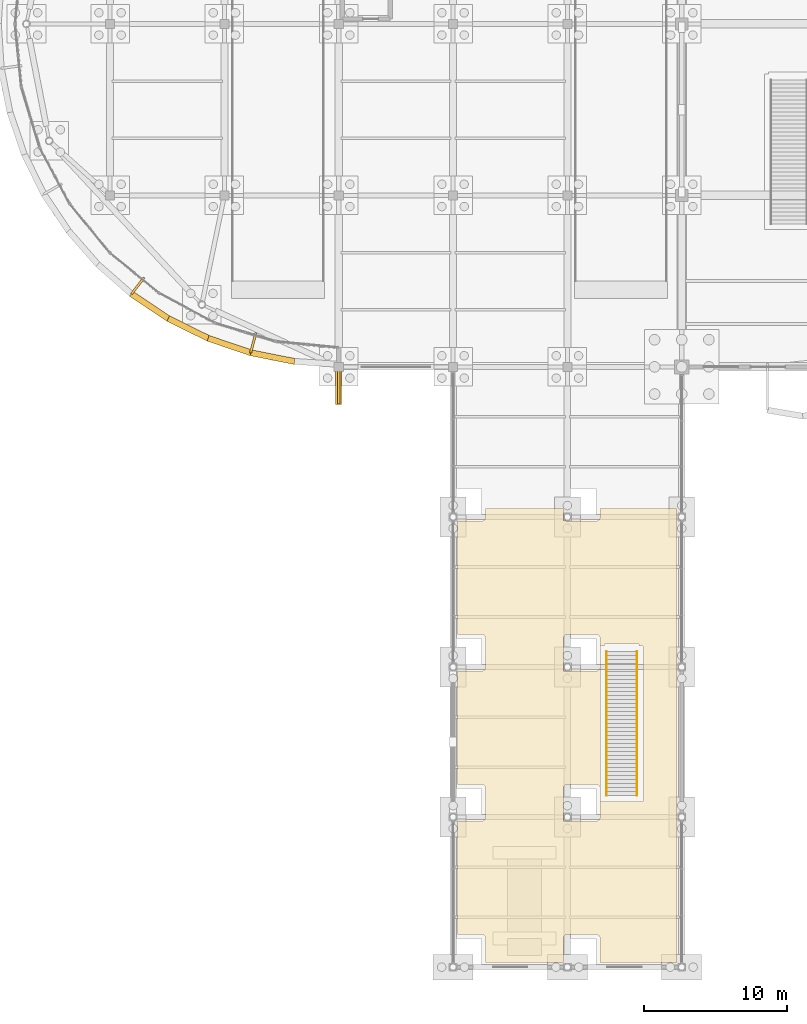
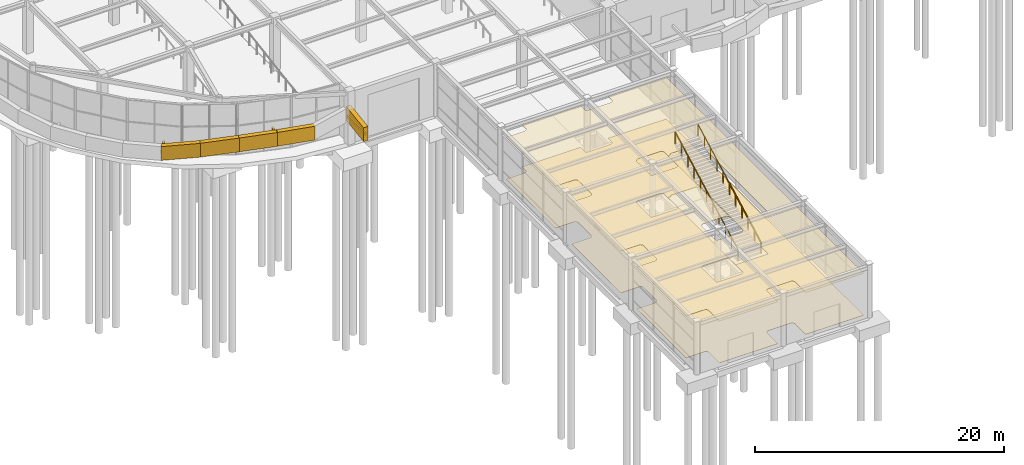
# One storey, part 73 of 85: 10 coverings, 2 railings.
"""IFC4 building model written with IfcOpenShell, lengths in metres."""

from ifc_helpers import new_model, si_unit, direction, frame, frame_2d, origin, origin_2d, place, context, subcontext, project, spatial, polyline, rectangle, circle, outline, extrude, material, layer, layer_set, type_object, element, save


model = new_model("IFC4")

# Units and contexts
model_context = context("Model", 3, precision=1e-05, world=origin(), true_north=direction((0.0, 1.0)))
body_context = subcontext(model_context, "Body", "Model", "MODEL_VIEW")
ifc_project = project(units=[si_unit("LENGTHUNIT", "METRE"), si_unit("AREAUNIT", "SQUARE_METRE"), si_unit("VOLUMEUNIT", "CUBIC_METRE"), si_unit("PLANEANGLEUNIT", "RADIAN"), si_unit("MASSUNIT", "GRAM", prefix="KILO")], contexts=[model_context])

# Site, building, storey
site_placement = place(None, origin())
site = spatial("IfcSite", under=ifc_project, at=site_placement, CompositionType="ELEMENT")
building_placement = place(site_placement, origin())
building = spatial("IfcBuilding", under=site, at=building_placement, Name="Keelwater Ferry Terminal", CompositionType="ELEMENT")
storey_placement = place(building_placement, origin())
storey = spatial("IfcBuildingStorey", under=building, at=storey_placement, Name="L00", CompositionType="ELEMENT", Elevation=0.0)

# Coverings
ifc_material_1 = material(Name="Perforated acoustic gypsum board ceiling", Category="gypsum")
ifc_layer_1 = layer(ifc_material_1, 0.044921875)
ifc_layer_set_1 = layer_set([ifc_layer_1], Name="Perforated acoustic gypsum board ceiling")
covering_type_1 = type_object("IfcCoveringType", Name="CL-AC Acoustic Baffle Ceiling", PredefinedType="CEILING", material=ifc_layer_set_1)
covering_1_placement = place(storey_placement, frame((0.0, 0.0, 4.10009765625)))
element("IfcCovering", 1, at=covering_1_placement, inside=storey, type_object=covering_type_1, Name="West Berth Holdroom Acoustic Ceiling", PredefinedType="CEILING", context=body_context, shape_type="SweptSolid", body=[
    extrude(outline(polyline([(47.615966796875, 32.077880859375), (47.623046875, 32.076904296875), (47.631103515625, 32.073974609375), (47.637939453125, 32.071044921875), (47.64404296875, 32.06689453125), (47.65087890625, 32.06201171875), (47.656982421875, 32.056884765625), (47.662109375, 32.051025390625), (47.6669921875, 32.0439453125), (47.6708984375, 32.0380859375), (47.674072265625, 32.031005859375), (47.677001953125, 32.02294921875), (47.677978515625, 32.01611328125), (47.679931640625, 32.008056640625), (47.679931640625, 32.0), (47.679931640625, 0.39990234375), (47.679931640625, 0.39208984375), (47.677978515625, 0.384033203125), (47.677001953125, 0.376953125), (47.674072265625, 0.368896484375), (47.6708984375, 0.362060546875), (47.6669921875, 0.35595703125), (47.662109375, 0.34912109375), (47.656982421875, 0.343017578125), (47.65087890625, 0.337890625), (47.64404296875, 0.3330078125), (47.637939453125, 0.3291015625), (47.631103515625, 0.325927734375), (47.623046875, 0.322998046875), (47.615966796875, 0.322021484375), (47.60791015625, 0.320068359375), (47.60009765625, 0.320068359375), (42.280029296875, 0.320068359375), (42.280029296875, 2.0), (42.279052734375, 2.027099609375), (42.27490234375, 2.054931640625), (42.26806640625, 2.0810546875), (42.259033203125, 2.10693359375), (42.2470703125, 2.132080078125), (42.23291015625, 2.156005859375), (42.216064453125, 2.177978515625), (42.197998046875, 2.197998046875), (42.177978515625, 2.216064453125), (42.156005859375, 2.23291015625), (42.132080078125, 2.2470703125), (42.10693359375, 2.259033203125), (42.0810546875, 2.26806640625), (42.054931640625, 2.27490234375), (42.027099609375, 2.279052734375), (42.0, 2.280029296875), (40.0, 2.280029296875), (39.972900390625, 2.279052734375), (39.945068359375, 2.27490234375), (39.9189453125, 2.26806640625), (39.89306640625, 2.259033203125), (39.867919921875, 2.2470703125), (39.843994140625, 2.23291015625), (39.822021484375, 2.216064453125), (39.802001953125, 2.197998046875), (39.783935546875, 2.177978515625), (39.76708984375, 2.156005859375), (39.7529296875, 2.132080078125), (39.740966796875, 2.10693359375), (39.73193359375, 2.0810546875), (39.72509765625, 2.054931640625), (39.720947265625, 2.027099609375), (39.719970703125, 2.0), (39.719970703125, 0.320068359375), (34.280029296875, 0.320068359375), (34.280029296875, 2.0), (34.279052734375, 2.027099609375), (34.27490234375, 2.054931640625), (34.26806640625, 2.0810546875), (34.259033203125, 2.10693359375), (34.2470703125, 2.132080078125), (34.23291015625, 2.156005859375), (34.216064453125, 2.177978515625), (34.197998046875, 2.197998046875), (34.177978515625, 2.216064453125), (34.156005859375, 2.23291015625), (34.132080078125, 2.2470703125), (34.10693359375, 2.259033203125), (34.0810546875, 2.26806640625), (34.054931640625, 2.27490234375), (34.027099609375, 2.279052734375), (34.0, 2.280029296875), (32.320068359375, 2.280029296875), (32.320068359375, 10.219970703125), (34.0, 10.219970703125), (34.027099609375, 10.220947265625), (34.054931640625, 10.22509765625), (34.0810546875, 10.23193359375), (34.10693359375, 10.240966796875), (34.132080078125, 10.2529296875), (34.156005859375, 10.26708984375), (34.177978515625, 10.283935546875), (34.197998046875, 10.302001953125), (34.216064453125, 10.322021484375), (34.23291015625, 10.343994140625), (34.2470703125, 10.367919921875), (34.259033203125, 10.39306640625), (34.26806640625, 10.4189453125), (34.27490234375, 10.445068359375), (34.279052734375, 10.472900390625), (34.280029296875, 10.5), (34.280029296875, 12.5), (34.279052734375, 12.527099609375), (34.27490234375, 12.554931640625), (34.26806640625, 12.5810546875), (34.259033203125, 12.60693359375), (34.2470703125, 12.632080078125), (34.23291015625, 12.656005859375), (34.216064453125, 12.677978515625), (34.197998046875, 12.697998046875), (34.177978515625, 12.716064453125), (34.156005859375, 12.73291015625), (34.132080078125, 12.7470703125), (34.10693359375, 12.759033203125), (34.0810546875, 12.76806640625), (34.054931640625, 12.77490234375), (34.027099609375, 12.779052734375), (34.0, 12.780029296875), (32.320068359375, 12.780029296875), (32.320068359375, 20.719970703125), (34.0, 20.719970703125), (34.027099609375, 20.720947265625), (34.054931640625, 20.72509765625), (34.0810546875, 20.73193359375), (34.10693359375, 20.740966796875), (34.132080078125, 20.7529296875), (34.156005859375, 20.76708984375), (34.177978515625, 20.783935546875), (34.197998046875, 20.802001953125), (34.216064453125, 20.822021484375), (34.23291015625, 20.843994140625), (34.2470703125, 20.867919921875), (34.259033203125, 20.89306640625), (34.26806640625, 20.9189453125), (34.27490234375, 20.945068359375), (34.279052734375, 20.972900390625), (34.280029296875, 21.0), (34.280029296875, 23.0), (34.279052734375, 23.027099609375), (34.27490234375, 23.054931640625), (34.26806640625, 23.0810546875), (34.259033203125, 23.10693359375), (34.2470703125, 23.132080078125), (34.23291015625, 23.156005859375), (34.216064453125, 23.177978515625), (34.197998046875, 23.197998046875), (34.177978515625, 23.216064453125), (34.156005859375, 23.23291015625), (34.132080078125, 23.2470703125), (34.10693359375, 23.259033203125), (34.0810546875, 23.26806640625), (34.054931640625, 23.27490234375), (34.027099609375, 23.279052734375), (34.0, 23.280029296875), (32.320068359375, 23.280029296875), (32.320068359375, 31.219970703125), (34.0, 31.219970703125), (34.027099609375, 31.220947265625), (34.054931640625, 31.22509765625), (34.0810546875, 31.23193359375), (34.10693359375, 31.240966796875), (34.132080078125, 31.2529296875), (34.156005859375, 31.26708984375), (34.177978515625, 31.283935546875), (34.197998046875, 31.302001953125), (34.216064453125, 31.322021484375), (34.23291015625, 31.343994140625), (34.2470703125, 31.367919921875), (34.259033203125, 31.39306640625), (34.26806640625, 31.4189453125), (34.27490234375, 31.445068359375), (34.279052734375, 31.472900390625), (34.280029296875, 31.5), (34.280029296875, 32.080078125), (39.719970703125, 32.080078125), (39.719970703125, 31.5), (39.720947265625, 31.472900390625), (39.72509765625, 31.445068359375), (39.73193359375, 31.4189453125), (39.736083984375, 31.407958984375), (39.736083984375, 31.236083984375), (39.907958984375, 31.236083984375), (39.9189453125, 31.23193359375), (39.945068359375, 31.22509765625), (39.972900390625, 31.220947265625), (40.0, 31.219970703125), (42.0, 31.219970703125), (42.027099609375, 31.220947265625), (42.054931640625, 31.22509765625), (42.0810546875, 31.23193359375), (42.10693359375, 31.240966796875), (42.132080078125, 31.2529296875), (42.156005859375, 31.26708984375), (42.177978515625, 31.283935546875), (42.197998046875, 31.302001953125), (42.216064453125, 31.322021484375), (42.23291015625, 31.343994140625), (42.2470703125, 31.367919921875), (42.259033203125, 31.39306640625), (42.26806640625, 31.4189453125), (42.27490234375, 31.445068359375), (42.279052734375, 31.472900390625), (42.280029296875, 31.5), (42.280029296875, 32.080078125), (47.60009765625, 32.080078125), (47.60791015625, 32.080078125), (47.615966796875, 32.077880859375)]), holes=[polyline([(45.02001953125, 22.6201171875), (42.580078125, 22.6201171875), (42.580078125, 22.47998046875), (42.300048828125, 22.47998046875), (42.300048828125, 11.60009765625), (45.300048828125, 11.60009765625), (45.300048828125, 22.47998046875), (45.02001953125, 22.47998046875), (45.02001953125, 22.6201171875)]), polyline([(39.72509765625, 20.945068359375), (39.73193359375, 20.9189453125), (39.736083984375, 20.907958984375), (39.736083984375, 20.736083984375), (39.907958984375, 20.736083984375), (39.9189453125, 20.73193359375), (39.945068359375, 20.72509765625), (39.972900390625, 20.720947265625), (40.0, 20.719970703125), (42.0, 20.719970703125), (42.027099609375, 20.720947265625), (42.054931640625, 20.72509765625), (42.0810546875, 20.73193359375), (42.10693359375, 20.740966796875), (42.132080078125, 20.7529296875), (42.156005859375, 20.76708984375), (42.177978515625, 20.783935546875), (42.197998046875, 20.802001953125), (42.216064453125, 20.822021484375), (42.23291015625, 20.843994140625), (42.2470703125, 20.867919921875), (42.259033203125, 20.89306640625), (42.26806640625, 20.9189453125), (42.27490234375, 20.945068359375), (42.279052734375, 20.972900390625), (42.280029296875, 21.0), (42.280029296875, 23.0), (42.279052734375, 23.027099609375), (42.27490234375, 23.054931640625), (42.26806640625, 23.0810546875), (42.259033203125, 23.10693359375), (42.2470703125, 23.132080078125), (42.23291015625, 23.156005859375), (42.216064453125, 23.177978515625), (42.197998046875, 23.197998046875), (42.177978515625, 23.216064453125), (42.156005859375, 23.23291015625), (42.132080078125, 23.2470703125), (42.10693359375, 23.259033203125), (42.0810546875, 23.26806640625), (42.054931640625, 23.27490234375), (42.027099609375, 23.279052734375), (42.0, 23.280029296875), (40.0, 23.280029296875), (39.972900390625, 23.279052734375), (39.945068359375, 23.27490234375), (39.9189453125, 23.26806640625), (39.89306640625, 23.259033203125), (39.867919921875, 23.2470703125), (39.843994140625, 23.23291015625), (39.822021484375, 23.216064453125), (39.802001953125, 23.197998046875), (39.783935546875, 23.177978515625), (39.76708984375, 23.156005859375), (39.7529296875, 23.132080078125), (39.740966796875, 23.10693359375), (39.73193359375, 23.0810546875), (39.72509765625, 23.054931640625), (39.720947265625, 23.027099609375), (39.719970703125, 23.0), (39.719970703125, 21.0), (39.720947265625, 20.972900390625), (39.72509765625, 20.945068359375)]), polyline([(42.27490234375, 12.554931640625), (42.26806640625, 12.5810546875), (42.259033203125, 12.60693359375), (42.2470703125, 12.632080078125), (42.23291015625, 12.656005859375), (42.216064453125, 12.677978515625), (42.197998046875, 12.697998046875), (42.177978515625, 12.716064453125), (42.156005859375, 12.73291015625), (42.132080078125, 12.7470703125), (42.10693359375, 12.759033203125), (42.0810546875, 12.76806640625), (42.054931640625, 12.77490234375), (42.027099609375, 12.779052734375), (42.0, 12.780029296875), (40.0, 12.780029296875), (39.972900390625, 12.779052734375), (39.945068359375, 12.77490234375), (39.9189453125, 12.76806640625), (39.89306640625, 12.759033203125), (39.867919921875, 12.7470703125), (39.843994140625, 12.73291015625), (39.822021484375, 12.716064453125), (39.802001953125, 12.697998046875), (39.783935546875, 12.677978515625), (39.76708984375, 12.656005859375), (39.7529296875, 12.632080078125), (39.740966796875, 12.60693359375), (39.73193359375, 12.5810546875), (39.72509765625, 12.554931640625), (39.720947265625, 12.527099609375), (39.719970703125, 12.5), (39.719970703125, 10.5), (39.720947265625, 10.472900390625), (39.72509765625, 10.445068359375), (39.73193359375, 10.4189453125), (39.736083984375, 10.407958984375), (39.736083984375, 10.236083984375), (39.907958984375, 10.236083984375), (39.9189453125, 10.23193359375), (39.945068359375, 10.22509765625), (39.972900390625, 10.220947265625), (40.0, 10.219970703125), (42.0, 10.219970703125), (42.027099609375, 10.220947265625), (42.054931640625, 10.22509765625), (42.0810546875, 10.23193359375), (42.10693359375, 10.240966796875), (42.132080078125, 10.2529296875), (42.156005859375, 10.26708984375), (42.177978515625, 10.283935546875), (42.197998046875, 10.302001953125), (42.216064453125, 10.322021484375), (42.23291015625, 10.343994140625), (42.2470703125, 10.367919921875), (42.259033203125, 10.39306640625), (42.26806640625, 10.4189453125), (42.27490234375, 10.445068359375), (42.279052734375, 10.472900390625), (42.280029296875, 10.5), (42.280029296875, 12.5), (42.279052734375, 12.527099609375), (42.27490234375, 12.554931640625)])]), origin(), (0.0, 0.0, 1.0), 0.044921875),
])
ifc_material_2 = material(Name="Polished mineral terrazzo tile", Category="stone")
ifc_layer_2 = layer(ifc_material_2, 0.030029296875)
ifc_layer_set_2 = layer_set([ifc_layer_2], Name="Polished mineral terrazzo tile")
covering_type_2 = type_object("IfcCoveringType", Name="FL-TZ Marine Terrazzo Flooring", PredefinedType="FLOORING", material=ifc_layer_set_2)
covering_2_placement = place(storey_placement, origin())
element("IfcCovering", 2, at=covering_2_placement, inside=storey, type_object=covering_type_2, Name="West Berth Holdroom Terrazzo Floor", PredefinedType="FLOORING", context=body_context, shape_type="SweptSolid", body=[
    extrude(outline(polyline([(47.615966796875, 32.077880859375), (47.623046875, 32.076904296875), (47.631103515625, 32.073974609375), (47.637939453125, 32.071044921875), (47.64404296875, 32.06689453125), (47.65087890625, 32.06201171875), (47.656982421875, 32.056884765625), (47.662109375, 32.051025390625), (47.6669921875, 32.0439453125), (47.6708984375, 32.0380859375), (47.674072265625, 32.031005859375), (47.677001953125, 32.02294921875), (47.677978515625, 32.01611328125), (47.679931640625, 32.008056640625), (47.679931640625, 32.0), (47.679931640625, 0.39990234375), (47.679931640625, 0.39208984375), (47.677978515625, 0.384033203125), (47.677001953125, 0.376953125), (47.674072265625, 0.368896484375), (47.6708984375, 0.362060546875), (47.6669921875, 0.35595703125), (47.662109375, 0.34912109375), (47.656982421875, 0.343017578125), (47.65087890625, 0.337890625), (47.64404296875, 0.3330078125), (47.637939453125, 0.3291015625), (47.631103515625, 0.325927734375), (47.623046875, 0.322998046875), (47.615966796875, 0.322021484375), (47.60791015625, 0.320068359375), (47.60009765625, 0.320068359375), (42.280029296875, 0.320068359375), (42.280029296875, 2.0), (42.279052734375, 2.027099609375), (42.27490234375, 2.054931640625), (42.26806640625, 2.0810546875), (42.259033203125, 2.10693359375), (42.2470703125, 2.132080078125), (42.23291015625, 2.156005859375), (42.216064453125, 2.177978515625), (42.197998046875, 2.197998046875), (42.177978515625, 2.216064453125), (42.156005859375, 2.23291015625), (42.132080078125, 2.2470703125), (42.10693359375, 2.259033203125), (42.0810546875, 2.26806640625), (42.054931640625, 2.27490234375), (42.027099609375, 2.279052734375), (42.0, 2.280029296875), (40.0, 2.280029296875), (39.972900390625, 2.279052734375), (39.945068359375, 2.27490234375), (39.9189453125, 2.26806640625), (39.89306640625, 2.259033203125), (39.867919921875, 2.2470703125), (39.843994140625, 2.23291015625), (39.822021484375, 2.216064453125), (39.802001953125, 2.197998046875), (39.783935546875, 2.177978515625), (39.76708984375, 2.156005859375), (39.7529296875, 2.132080078125), (39.740966796875, 2.10693359375), (39.73193359375, 2.0810546875), (39.72509765625, 2.054931640625), (39.720947265625, 2.027099609375), (39.719970703125, 2.0), (39.719970703125, 0.320068359375), (34.280029296875, 0.320068359375), (34.280029296875, 2.0), (34.279052734375, 2.027099609375), (34.27490234375, 2.054931640625), (34.26806640625, 2.0810546875), (34.259033203125, 2.10693359375), (34.2470703125, 2.132080078125), (34.23291015625, 2.156005859375), (34.216064453125, 2.177978515625), (34.197998046875, 2.197998046875), (34.177978515625, 2.216064453125), (34.156005859375, 2.23291015625), (34.132080078125, 2.2470703125), (34.10693359375, 2.259033203125), (34.0810546875, 2.26806640625), (34.054931640625, 2.27490234375), (34.027099609375, 2.279052734375), (34.0, 2.280029296875), (32.320068359375, 2.280029296875), (32.320068359375, 10.219970703125), (34.0, 10.219970703125), (34.027099609375, 10.220947265625), (34.054931640625, 10.22509765625), (34.0810546875, 10.23193359375), (34.10693359375, 10.240966796875), (34.132080078125, 10.2529296875), (34.156005859375, 10.26708984375), (34.177978515625, 10.283935546875), (34.197998046875, 10.302001953125), (34.216064453125, 10.322021484375), (34.23291015625, 10.343994140625), (34.2470703125, 10.367919921875), (34.259033203125, 10.39306640625), (34.26806640625, 10.4189453125), (34.27490234375, 10.445068359375), (34.279052734375, 10.472900390625), (34.280029296875, 10.5), (34.280029296875, 12.5), (34.279052734375, 12.527099609375), (34.27490234375, 12.554931640625), (34.26806640625, 12.5810546875), (34.259033203125, 12.60693359375), (34.2470703125, 12.632080078125), (34.23291015625, 12.656005859375), (34.216064453125, 12.677978515625), (34.197998046875, 12.697998046875), (34.177978515625, 12.716064453125), (34.156005859375, 12.73291015625), (34.132080078125, 12.7470703125), (34.10693359375, 12.759033203125), (34.0810546875, 12.76806640625), (34.054931640625, 12.77490234375), (34.027099609375, 12.779052734375), (34.0, 12.780029296875), (32.320068359375, 12.780029296875), (32.320068359375, 20.719970703125), (34.0, 20.719970703125), (34.027099609375, 20.720947265625), (34.054931640625, 20.72509765625), (34.0810546875, 20.73193359375), (34.10693359375, 20.740966796875), (34.132080078125, 20.7529296875), (34.156005859375, 20.76708984375), (34.177978515625, 20.783935546875), (34.197998046875, 20.802001953125), (34.216064453125, 20.822021484375), (34.23291015625, 20.843994140625), (34.2470703125, 20.867919921875), (34.259033203125, 20.89306640625), (34.26806640625, 20.9189453125), (34.27490234375, 20.945068359375), (34.279052734375, 20.972900390625), (34.280029296875, 21.0), (34.280029296875, 23.0), (34.279052734375, 23.027099609375), (34.27490234375, 23.054931640625), (34.26806640625, 23.0810546875), (34.259033203125, 23.10693359375), (34.2470703125, 23.132080078125), (34.23291015625, 23.156005859375), (34.216064453125, 23.177978515625), (34.197998046875, 23.197998046875), (34.177978515625, 23.216064453125), (34.156005859375, 23.23291015625), (34.132080078125, 23.2470703125), (34.10693359375, 23.259033203125), (34.0810546875, 23.26806640625), (34.054931640625, 23.27490234375), (34.027099609375, 23.279052734375), (34.0, 23.280029296875), (32.320068359375, 23.280029296875), (32.320068359375, 31.219970703125), (34.0, 31.219970703125), (34.027099609375, 31.220947265625), (34.054931640625, 31.22509765625), (34.0810546875, 31.23193359375), (34.10693359375, 31.240966796875), (34.132080078125, 31.2529296875), (34.156005859375, 31.26708984375), (34.177978515625, 31.283935546875), (34.197998046875, 31.302001953125), (34.216064453125, 31.322021484375), (34.23291015625, 31.343994140625), (34.2470703125, 31.367919921875), (34.259033203125, 31.39306640625), (34.26806640625, 31.4189453125), (34.27490234375, 31.445068359375), (34.279052734375, 31.472900390625), (34.280029296875, 31.5), (34.280029296875, 32.080078125), (39.719970703125, 32.080078125), (39.719970703125, 31.5), (39.720947265625, 31.472900390625), (39.72509765625, 31.445068359375), (39.73193359375, 31.4189453125), (39.736083984375, 31.407958984375), (39.736083984375, 31.236083984375), (39.907958984375, 31.236083984375), (39.9189453125, 31.23193359375), (39.945068359375, 31.22509765625), (39.972900390625, 31.220947265625), (40.0, 31.219970703125), (42.0, 31.219970703125), (42.027099609375, 31.220947265625), (42.054931640625, 31.22509765625), (42.0810546875, 31.23193359375), (42.10693359375, 31.240966796875), (42.132080078125, 31.2529296875), (42.156005859375, 31.26708984375), (42.177978515625, 31.283935546875), (42.197998046875, 31.302001953125), (42.216064453125, 31.322021484375), (42.23291015625, 31.343994140625), (42.2470703125, 31.367919921875), (42.259033203125, 31.39306640625), (42.26806640625, 31.4189453125), (42.27490234375, 31.445068359375), (42.279052734375, 31.472900390625), (42.280029296875, 31.5), (42.280029296875, 32.080078125), (47.60009765625, 32.080078125), (47.60791015625, 32.080078125), (47.615966796875, 32.077880859375)]), holes=[polyline([(45.02001953125, 22.6201171875), (42.580078125, 22.6201171875), (42.580078125, 22.47998046875), (42.300048828125, 22.47998046875), (42.300048828125, 11.60009765625), (45.300048828125, 11.60009765625), (45.300048828125, 22.47998046875), (45.02001953125, 22.47998046875), (45.02001953125, 22.6201171875)]), polyline([(39.72509765625, 20.945068359375), (39.73193359375, 20.9189453125), (39.736083984375, 20.907958984375), (39.736083984375, 20.736083984375), (39.907958984375, 20.736083984375), (39.9189453125, 20.73193359375), (39.945068359375, 20.72509765625), (39.972900390625, 20.720947265625), (40.0, 20.719970703125), (42.0, 20.719970703125), (42.027099609375, 20.720947265625), (42.054931640625, 20.72509765625), (42.0810546875, 20.73193359375), (42.10693359375, 20.740966796875), (42.132080078125, 20.7529296875), (42.156005859375, 20.76708984375), (42.177978515625, 20.783935546875), (42.197998046875, 20.802001953125), (42.216064453125, 20.822021484375), (42.23291015625, 20.843994140625), (42.2470703125, 20.867919921875), (42.259033203125, 20.89306640625), (42.26806640625, 20.9189453125), (42.27490234375, 20.945068359375), (42.279052734375, 20.972900390625), (42.280029296875, 21.0), (42.280029296875, 23.0), (42.279052734375, 23.027099609375), (42.27490234375, 23.054931640625), (42.26806640625, 23.0810546875), (42.259033203125, 23.10693359375), (42.2470703125, 23.132080078125), (42.23291015625, 23.156005859375), (42.216064453125, 23.177978515625), (42.197998046875, 23.197998046875), (42.177978515625, 23.216064453125), (42.156005859375, 23.23291015625), (42.132080078125, 23.2470703125), (42.10693359375, 23.259033203125), (42.0810546875, 23.26806640625), (42.054931640625, 23.27490234375), (42.027099609375, 23.279052734375), (42.0, 23.280029296875), (40.0, 23.280029296875), (39.972900390625, 23.279052734375), (39.945068359375, 23.27490234375), (39.9189453125, 23.26806640625), (39.89306640625, 23.259033203125), (39.867919921875, 23.2470703125), (39.843994140625, 23.23291015625), (39.822021484375, 23.216064453125), (39.802001953125, 23.197998046875), (39.783935546875, 23.177978515625), (39.76708984375, 23.156005859375), (39.7529296875, 23.132080078125), (39.740966796875, 23.10693359375), (39.73193359375, 23.0810546875), (39.72509765625, 23.054931640625), (39.720947265625, 23.027099609375), (39.719970703125, 23.0), (39.719970703125, 21.0), (39.720947265625, 20.972900390625), (39.72509765625, 20.945068359375)]), polyline([(42.27490234375, 12.554931640625), (42.26806640625, 12.5810546875), (42.259033203125, 12.60693359375), (42.2470703125, 12.632080078125), (42.23291015625, 12.656005859375), (42.216064453125, 12.677978515625), (42.197998046875, 12.697998046875), (42.177978515625, 12.716064453125), (42.156005859375, 12.73291015625), (42.132080078125, 12.7470703125), (42.10693359375, 12.759033203125), (42.0810546875, 12.76806640625), (42.054931640625, 12.77490234375), (42.027099609375, 12.779052734375), (42.0, 12.780029296875), (40.0, 12.780029296875), (39.972900390625, 12.779052734375), (39.945068359375, 12.77490234375), (39.9189453125, 12.76806640625), (39.89306640625, 12.759033203125), (39.867919921875, 12.7470703125), (39.843994140625, 12.73291015625), (39.822021484375, 12.716064453125), (39.802001953125, 12.697998046875), (39.783935546875, 12.677978515625), (39.76708984375, 12.656005859375), (39.7529296875, 12.632080078125), (39.740966796875, 12.60693359375), (39.73193359375, 12.5810546875), (39.72509765625, 12.554931640625), (39.720947265625, 12.527099609375), (39.719970703125, 12.5), (39.719970703125, 10.5), (39.720947265625, 10.472900390625), (39.72509765625, 10.445068359375), (39.73193359375, 10.4189453125), (39.736083984375, 10.407958984375), (39.736083984375, 10.236083984375), (39.907958984375, 10.236083984375), (39.9189453125, 10.23193359375), (39.945068359375, 10.22509765625), (39.972900390625, 10.220947265625), (40.0, 10.219970703125), (42.0, 10.219970703125), (42.027099609375, 10.220947265625), (42.054931640625, 10.22509765625), (42.0810546875, 10.23193359375), (42.10693359375, 10.240966796875), (42.132080078125, 10.2529296875), (42.156005859375, 10.26708984375), (42.177978515625, 10.283935546875), (42.197998046875, 10.302001953125), (42.216064453125, 10.322021484375), (42.23291015625, 10.343994140625), (42.2470703125, 10.367919921875), (42.259033203125, 10.39306640625), (42.26806640625, 10.4189453125), (42.27490234375, 10.445068359375), (42.279052734375, 10.472900390625), (42.280029296875, 10.5), (42.280029296875, 12.5), (42.279052734375, 12.527099609375), (42.27490234375, 12.554931640625)])]), origin(), (0.0, 0.0, 1.0), 0.030029296875),
])

# Railings
ifc_material_3 = material(Name="Painted Steel S355", Category="steel")
railing_type = type_object("IfcRailingType", Name="GR-115 Stair Well Guardrail", PredefinedType="GUARDRAIL", material=ifc_material_3)
for number, where, name in (
    (3, (44.860107421875, 12.0, 0.0), "Straight Stair BS-01 Flight Guard 121"),
    (4, (42.739990234375, 12.0, 0.0), "Straight Stair BS-01 Flight Guard 122"),
):
    element("IfcRailing", number, at=place(storey_placement, frame(where)), inside=storey, type_object=railing_type, Name=name, PredefinedType="GUARDRAIL", context=body_context, shape_type="SweptSolid", body=[
        extrude(circle(Radius=0.02392578125, at=origin_2d()), frame((0.0, 0.0, 1.1259765625), z_axis=(0.0, 0.881485048194, 0.472211933151), x_axis=(-1.0, 0.0, 0.0)), (0.0, 0.0, 1.0), 11.435302734375),
        extrude(circle(Radius=0.02099609375, at=origin_2d()), origin(), (0.0, 0.0, 1.0), 1.101806640625),
        extrude(circle(Radius=0.02099609375, at=origin_2d()), frame((0.0, 1.008056640625, 0.5400390625)), (0.0, 0.0, 1.0), 1.101806640625),
        extrude(circle(Radius=0.02099609375, at=origin_2d()), frame((0.0, 2.01611328125, 1.080078125)), (0.0, 0.0, 1.0), 1.101806640625),
        extrude(circle(Radius=0.02099609375, at=origin_2d()), frame((0.0, 3.02392578125, 1.619873046875)), (0.0, 0.0, 1.0), 1.101806640625),
        extrude(circle(Radius=0.02099609375, at=origin_2d()), frame((0.0, 4.031982421875, 2.159912109375)), (0.0, 0.0, 1.0), 1.101806640625),
        extrude(circle(Radius=0.02099609375, at=origin_2d()), frame((0.0, 5.0400390625, 2.699951171875)), (0.0, 0.0, 1.0), 1.101806640625),
        extrude(circle(Radius=0.02099609375, at=origin_2d()), frame((0.0, 6.048095703125, 3.239990234375)), (0.0, 0.0, 1.0), 1.101806640625),
        extrude(circle(Radius=0.02099609375, at=origin_2d()), frame((0.0, 7.05615234375, 3.780029296875)), (0.0, 0.0, 1.0), 1.101806640625),
        extrude(circle(Radius=0.02099609375, at=origin_2d()), frame((0.0, 8.06396484375, 4.31982421875)), (0.0, 0.0, 1.0), 1.101806640625),
        extrude(circle(Radius=0.02099609375, at=origin_2d()), frame((0.0, 9.072021484375, 4.85986328125)), (0.0, 0.0, 1.0), 1.101806640625),
        extrude(circle(Radius=0.02099609375, at=origin_2d()), frame((0.0, 10.080078125, 5.39990234375)), (0.0, 0.0, 1.0), 1.101806640625),
    ])

# Coverings
ifc_material_4 = material(Name="Matte white architectural aluminium fascia ribbon", Category="aluminium")
ifc_layer_3 = layer(ifc_material_4, 0.1201171875)
ifc_layer_set_3 = layer_set([ifc_layer_3], Name="Matte white architectural aluminium fascia ribbon")
covering_type_3 = type_object("IfcCoveringType", Name="RB-WHT Matte White Fascia Ribbon", PredefinedType="CLADDING", material=ifc_layer_set_3)
covering_3_placement = place(storey_placement, frame((9.47802734375, 47.115966796875, 0.364013671875), z_axis=(0.0, 0.0, 1.0), x_axis=(0.831516144614, -0.55550058618, 0.0)))
element("IfcCovering", 5, at=covering_3_placement, inside=storey, type_object=covering_type_3, Name="Quay Plinth Wave Fascia Ribbon 277", PredefinedType="CLADDING", context=body_context, shape_type="SweptSolid", body=[
    extrude(outline(polyline([(0.0, 0.0), (3.16650390625, 0.466064453125), (3.16650390625, 1.81591796875), (0.0, 1.35009765625), (0.0, 0.0)])), frame((0.0, 0.2099609375, 0.0), z_axis=(0.0, -1.0, 0.0), x_axis=(1.0, 0.0, 0.0)), (0.0, 0.0, 1.0), 0.419921875),
])
covering_4_placement = place(storey_placement, frame((9.4990234375, 47.10205078125, 0.89892578125), z_axis=(0.0, 0.0, 1.0), x_axis=(0.609067672467, 0.793118257484, 0.0)))
element("IfcCovering", 6, at=covering_4_placement, inside=storey, type_object=covering_type_3, Name="Ribbon Horizontal Tie Bracket 281", PredefinedType="CLADDING", context=body_context, shape_type="SweptSolid", body=[
    extrude(rectangle(XDim=1.449951171875, YDim=0.159912109375, at=frame_2d((0.72509765625, 0.0))), origin(), (0.0, 0.0, 1.0), 0.280029296875),
])
covering_5_placement = place(storey_placement, frame((12.068115234375, 45.382080078125, 0.830078125), z_axis=(0.0, 0.0, 1.0), x_axis=(0.896790782987, -0.442454846905, 0.0)))
element("IfcCovering", 7, at=covering_5_placement, inside=storey, type_object=covering_type_3, Name="Quay Plinth Wave Fascia Ribbon 287", PredefinedType="CLADDING", context=body_context, shape_type="SweptSolid", body=[
    extrude(outline(polyline([(0.0, 0.0), (3.16455078125, 0.375), (3.16455078125, 1.724853515625), (0.0, 1.349853515625), (0.0, 0.0)])), frame((0.0, 0.2099609375, 0.0), z_axis=(0.0, -1.0, 0.0), x_axis=(1.0, 0.0, 0.0)), (0.0, 0.0, 1.0), 0.419921875),
])
covering_6_placement = place(storey_placement, frame((14.860107421875, 44.0009765625, 1.205078125), z_axis=(0.0, 0.0, 1.0), x_axis=(0.94701262585, -0.321196336342, 0.0)))
element("IfcCovering", 8, at=covering_6_placement, inside=storey, type_object=covering_type_3, Name="Quay Plinth Wave Fascia Ribbon 291", PredefinedType="CLADDING", context=body_context, shape_type="SweptSolid", body=[
    extrude(outline(polyline([(0.0, 0.0), (3.16650390625, 0.116943359375), (3.16650390625, 1.467041015625), (0.0, 1.349853515625), (0.0, 0.0)])), frame((0.0, 0.2099609375, 0.0), z_axis=(0.0, -1.0, 0.0), x_axis=(1.0, 0.0, 0.0)), (0.0, 0.0, 1.0), 0.419921875),
])
covering_7_placement = place(storey_placement, frame((17.81005859375, 42.9970703125, 1.221923828125), z_axis=(0.0, 0.0, 1.0), x_axis=(0.98076407959, -0.195196875454, 0.0)))
element("IfcCovering", 9, at=covering_7_placement, inside=storey, type_object=covering_type_3, Name="Quay Plinth Wave Fascia Ribbon 295", PredefinedType="CLADDING", context=body_context, shape_type="SweptSolid", body=[
    extrude(outline(polyline([(0.0, 0.10009765625), (3.1669921875, 0.0), (3.1669921875, 1.35009765625), (0.0, 1.4501953125), (0.0, 0.10009765625)])), frame((0.0, 0.2099609375, 0.0), z_axis=(0.0, -1.0, 0.0), x_axis=(1.0, 0.0, 0.0)), (0.0, 0.0, 1.0), 0.419921875),
])
covering_8_placement = place(storey_placement, frame((17.8349609375, 42.991943359375, 1.85693359375), z_axis=(0.0, 0.0, 1.0), x_axis=(0.258542567344, 0.965999865875, 0.0)))
element("IfcCovering", 10, at=covering_8_placement, inside=storey, type_object=covering_type_3, Name="Ribbon Horizontal Tie Bracket 299", PredefinedType="CLADDING", context=body_context, shape_type="SweptSolid", body=[
    extrude(rectangle(XDim=1.450439453125, YDim=0.159912109375, at=frame_2d((0.72509765625, 0.0))), origin(), (0.0, 0.0, 1.0), 0.280029296875),
])
covering_9_placement = place(storey_placement, frame((24.0, 42.205078125, 1.737060546875), z_axis=(0.0, 0.0, 1.0), x_axis=(0.0, -1.0, 0.0)))
element("IfcCovering", 11, at=covering_9_placement, inside=storey, type_object=covering_type_3, Name="Quay Plinth Wave Fascia Ribbon 311", PredefinedType="CLADDING", context=body_context, shape_type="SweptSolid", body=[
    extrude(outline(polyline([(0.0, 0.410888671875), (2.830078125, 0.0), (2.830078125, 1.349853515625), (0.0, 1.760986328125), (0.0, 0.410888671875)])), frame((0.0, 0.2099609375, 0.0), z_axis=(0.0, -1.0, 0.0), x_axis=(1.0, 0.0, 0.0)), (0.0, 0.0, 1.0), 0.419921875),
])
covering_10_placement = place(storey_placement, frame((24.0, 39.39990234375, 2.27197265625), z_axis=(0.0, 0.0, 1.0), x_axis=(0.0, 1.0, 0.0)))
element("IfcCovering", 12, at=covering_10_placement, inside=storey, type_object=covering_type_3, Name="Ribbon Horizontal Tie Bracket 318", PredefinedType="CLADDING", context=body_context, shape_type="SweptSolid", body=[
    extrude(rectangle(XDim=2.85009765625, YDim=0.159912109375, at=frame_2d((1.425048828125, 0.0))), origin(), (0.0, 0.0, 1.0), 0.280029296875),
])

save(model, "model.ifc")
